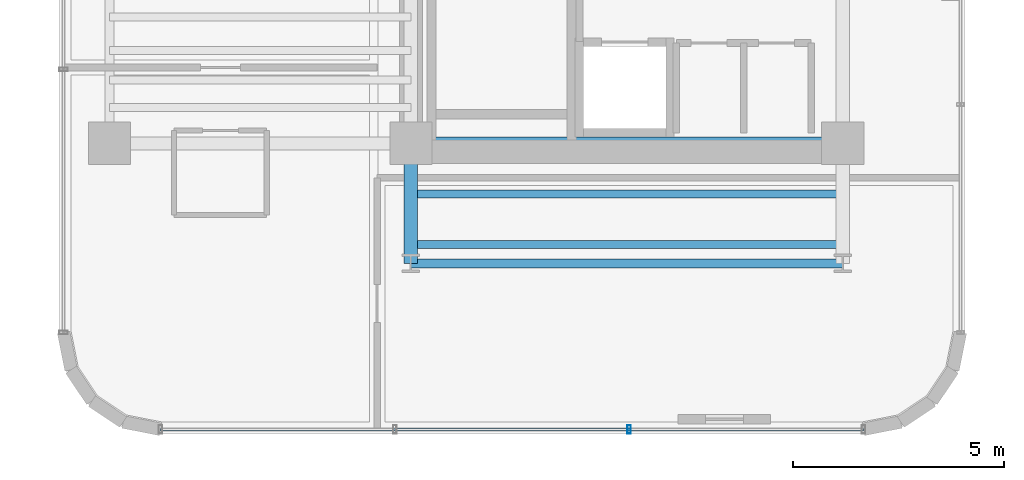
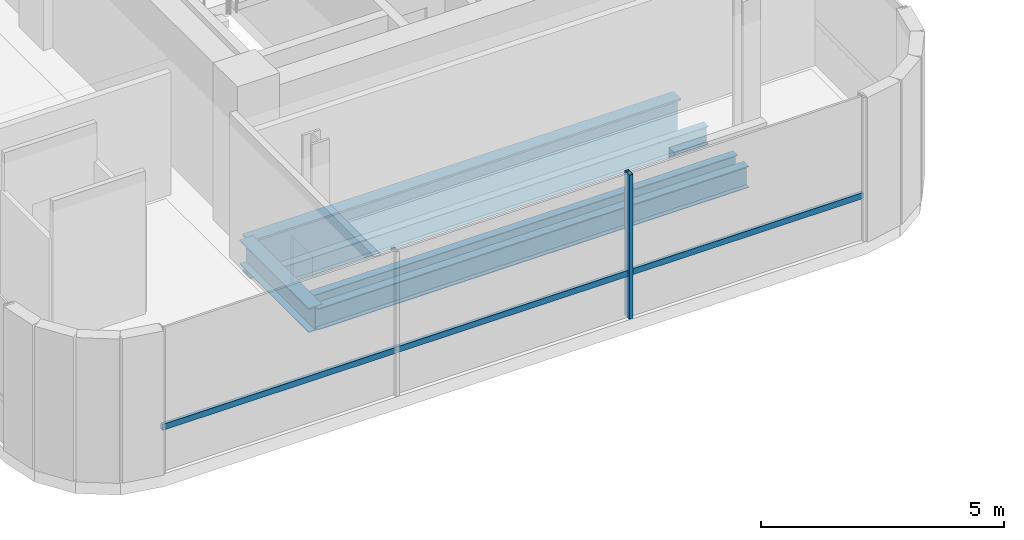
# One storey, part 3 of 36: 5 beams, 2 members, 1 element without a shape of its own.
"""IFC4 building model written with IfcOpenShell, lengths in metres."""

from ifc_helpers import new_model, si_unit, direction, frame, origin, origin_2d, place, context, subcontext, project, spatial, hollow_rectangle, i_section, extrude, source, transform, mapped, material, material_profile, profile_set, type_object, element, aggregate, save


model = new_model("IFC4")

# Units and contexts
model_context = context("Model", 3, precision=1e-05, world=origin(), true_north=direction((0.0, 1.0)))
body_context = subcontext(model_context, "Body", "Model", "MODEL_VIEW")
ifc_project = project(units=[si_unit("LENGTHUNIT", "METRE"), si_unit("AREAUNIT", "SQUARE_METRE"), si_unit("VOLUMEUNIT", "CUBIC_METRE"), si_unit("PLANEANGLEUNIT", "RADIAN"), si_unit("MASSUNIT", "GRAM", prefix="KILO")], contexts=[model_context])

# Site, building, storey
site_placement = place(None, origin())
site = spatial("IfcSite", under=ifc_project, at=site_placement, CompositionType="ELEMENT")
building_placement = place(site_placement, origin())
building = spatial("IfcBuilding", under=site, at=building_placement, Name="Valdorenza Pilgrim Sanctuary Tower", CompositionType="ELEMENT")
storey_placement = place(building_placement, frame((0.0, 0.0, 176.550048828125)))
storey = spatial("IfcBuildingStorey", under=building, at=storey_placement, Name="L45", CompositionType="ELEMENT", Elevation=176.550048828125)

# Beams
ifc_material_1 = material(Name="Steel ASTM A992 Grade 50", Category="steel")
ifc_material_profile_1 = material_profile(ifc_material_1, i_section(OverallWidth=0.323974609375, OverallDepth=0.611083984375, WebThickness=0.0126953125, FlangeThickness=0.01904296875, at=origin_2d()), Name="W24X104")
ifc_profile_set_1 = profile_set([ifc_material_profile_1], Name="Steel ASTM A992 Grade 50")
beam_type_1 = type_object("IfcBeamType", Name="STR-BM-GRD-W24B", PredefinedType="BEAM", material=ifc_profile_set_1)
shared_shape_1 = source(origin(), body_context, "Body", "SweptSolid", [
    extrude(i_section(OverallWidth=0.323974609375, OverallDepth=0.611083984375, WebThickness=0.0126953125, FlangeThickness=0.01904296875, at=origin_2d()), origin(), (0.0, 0.0, 1.0), 2.849853515625),
])
beam_1_placement = place(storey_placement, frame((-22.64990234375, -13.449951171875, -0.62548828125), z_axis=(0.0, 1.0, 0.0), x_axis=(-1.0, 0.0, 0.0)))
element("IfcBeam", 1, at=beam_1_placement, inside=storey, type_object=beam_type_1, Name="L45 Floor Girder WA-S-LW", PredefinedType="BEAM", context=body_context, shape_type="MappedRepresentation", body=[
    mapped(shared_shape_1, transform((0.0, 0.0, 0.0), x_axis=(1.0, 0.0, 0.0), y_axis=(0.0, 1.0, 0.0), z_axis=(0.0, 0.0, 1.0), scale=1.0)),
])
ifc_material_profile_2 = material_profile(ifc_material_1, i_section(OverallWidth=0.19091796875, OverallDepth=0.45703125, WebThickness=0.009033203125, FlangeThickness=0.014404296875, at=origin_2d()), Name="W18X50")
ifc_profile_set_2 = profile_set([ifc_material_profile_2], Name="Steel ASTM A992 Grade 50")
beam_type_2 = type_object("IfcBeamType", Name="STR-BM-JST-W18B", PredefinedType="JOIST", material=ifc_profile_set_2)
shared_shape_2 = source(origin(), body_context, "Body", "SweptSolid", [
    extrude(i_section(OverallWidth=0.19091796875, OverallDepth=0.45703125, WebThickness=0.009033203125, FlangeThickness=0.014404296875, at=origin_2d()), origin(), (0.0, 0.0, 1.0), 10.25),
])
for number, where, z_axis, x_axis, name in (
    (2, (-22.64990234375, -13.0, -0.548583984375), (1.0, 0.0, 0.0), (0.0, 1.0, 0.0), "L45 Composite Floor Joist JST-WAS-1"),
    (3, (-22.64990234375, -11.800048828125, -0.548583984375), (1.0, 0.0, 0.0), (0.0, 1.0, 0.0), "L45 Composite Floor Joist JST-WAS-2"),
):
    element("IfcBeam", number, at=place(storey_placement, frame(where, z_axis=z_axis, x_axis=x_axis)), inside=storey, type_object=beam_type_2, Name=name, PredefinedType="JOIST", context=body_context, shape_type="MappedRepresentation", body=[
        mapped(shared_shape_2, transform((0.0, 0.0, 0.0), x_axis=(1.0, 0.0, 0.0), y_axis=(0.0, 1.0, 0.0), z_axis=(0.0, 0.0, 1.0), scale=1.0)),
    ])
ifc_material_profile_3 = material_profile(ifc_material_1, i_section(OverallWidth=0.2109375, OverallDepth=0.5390625, WebThickness=0.01171875, FlangeThickness=0.018798828125, at=origin_2d()), Name="W21X73")
ifc_profile_set_3 = profile_set([ifc_material_profile_3], Name="Steel ASTM A992 Grade 50")
beam_type_3 = type_object("IfcBeamType", Name="STR-BM-SPN-W21B", PredefinedType="SPANDREL", material=ifc_profile_set_3)
shared_shape_3 = source(origin(), body_context, "Body", "SweptSolid", [
    extrude(i_section(OverallWidth=0.2109375, OverallDepth=0.5390625, WebThickness=0.01171875, FlangeThickness=0.018798828125, at=origin_2d()), origin(), (0.0, 0.0, 1.0), 10.25),
])
beam_2_placement = place(storey_placement, frame((-22.64990234375, -13.449951171875, -0.589599609375), z_axis=(1.0, 0.0, 0.0), x_axis=(0.0, 1.0, 0.0)))
element("IfcBeam", 4, at=beam_2_placement, inside=storey, type_object=beam_type_3, Name="L45 South Spandrel WA-S-TIE", PredefinedType="SPANDREL", context=body_context, shape_type="MappedRepresentation", body=[
    mapped(shared_shape_3, transform((0.0, 0.0, 0.0), x_axis=(1.0, 0.0, 0.0), y_axis=(0.0, 1.0, 0.0), z_axis=(0.0, 0.0, 1.0), scale=1.0)),
])
ifc_material_profile_4 = material_profile(ifc_material_1, i_section(OverallWidth=0.31005859375, OverallDepth=0.949951171875, WebThickness=0.0244140625, FlangeThickness=0.0439453125, at=origin_2d()), Name="W36X256")
ifc_profile_set_4 = profile_set([ifc_material_profile_4], Name="Steel ASTM A992 Grade 50")
beam_type_4 = type_object("IfcBeamType", Name="STR-BM-GRD-W36B", PredefinedType="BEAM", material=ifc_profile_set_4)
shared_shape_4 = source(origin(), body_context, "Body", "SweptSolid", [
    extrude(i_section(OverallWidth=0.31005859375, OverallDepth=0.949951171875, WebThickness=0.0244140625, FlangeThickness=0.0439453125, at=origin_2d()), origin(), (0.0, 0.0, 1.0), 10.25),
])
beam_3_placement = place(storey_placement, frame((-22.64990234375, -10.60009765625, -0.795166015625), z_axis=(1.0, 0.0, 0.0), x_axis=(0.0, 1.0, 0.0)))
element("IfcBeam", 5, at=beam_3_placement, inside=storey, type_object=beam_type_4, Name="L45 Floor Girder CA-XC-S1", PredefinedType="BEAM", context=body_context, shape_type="MappedRepresentation", body=[
    mapped(shared_shape_4, transform((0.0, 0.0, 0.0), x_axis=(1.0, 0.0, 0.0), y_axis=(0.0, 1.0, 0.0), z_axis=(0.0, 0.0, 1.0), scale=1.0)),
])

# Curtain wall, members
ifc_material_2 = material(Name="Curtain-wall IGU glazing", Category="glass")
curtain_wall_type = type_object("IfcCurtainWallType", Name="CW-SYS-02", PredefinedType="NOTDEFINED", material=ifc_material_2)
curtain_wall_placement = place(storey_placement, origin())
curtain_wall = element("IfcCurtainWall", 6, at=curtain_wall_placement, inside=storey, type_object=curtain_wall_type, Name="L45 Curtain Wall CW-L45-1-82", PredefinedType="NOTDEFINED")
ifc_material_3 = material(Name="Anodised aluminium AW-6060", Category="aluminium")
ifc_material_profile_5 = material_profile(ifc_material_3, hollow_rectangle(XDim=0.074951171875, YDim=0.14990234375, WallThickness=0.00390625, at=origin_2d()), Name="ALU-T 150x75x4")
ifc_profile_set_5 = profile_set([ifc_material_profile_5], Name="Anodised aluminium AW-6060")
member_type_1 = type_object("IfcMemberType", Name="CW-TRN-02", PredefinedType="USERDEFINED", material=ifc_profile_set_5)
shared_shape_5 = source(origin(), body_context, "Body", "SweptSolid", [
    extrude(hollow_rectangle(XDim=0.074951171875, YDim=0.14990234375, WallThickness=0.00390625, at=origin_2d()), origin(), (0.0, 0.0, 1.0), 16.67822265625),
])
member_1_placement = place(storey_placement, frame((-11.910888671875, -17.389892578125, 1.119873046875), z_axis=(-1.0, 0.0, 0.0), x_axis=(0.0, -1.0, 0.0)))
member_1 = element("IfcMember", 7, at=member_1_placement, type_object=member_type_1, Name="CW-L45-1-82 Transom 1", ObjectType="TRANSOM", PredefinedType="USERDEFINED", context=body_context, shape_type="MappedRepresentation", body=[
    mapped(shared_shape_5, transform((0.0, 0.0, 0.0), x_axis=(1.0, 0.0, 0.0), y_axis=(0.0, 1.0, 0.0), z_axis=(0.0, 0.0, 1.0), scale=1.0)),
])
ifc_material_profile_6 = material_profile(ifc_material_3, hollow_rectangle(XDim=0.0849609375, YDim=0.199951171875, WallThickness=0.0048828125, at=origin_2d()), Name="ALU-M 200x85x5")
ifc_profile_set_6 = profile_set([ifc_material_profile_6], Name="Anodised aluminium AW-6060")
member_type_2 = type_object("IfcMemberType", Name="CW-MUL-02", PredefinedType="MULLION", material=ifc_profile_set_6)
shared_shape_6 = source(origin(), body_context, "Body", "SweptSolid", [
    extrude(hollow_rectangle(XDim=0.0849609375, YDim=0.199951171875, WallThickness=0.0048828125, at=origin_2d()), origin(), (0.0, 0.0, 1.0), 3.6298828125),
])
member_2_placement = place(storey_placement, frame((-17.47021484375, -17.389892578125, 0.0), z_axis=(0.0, 0.0, 1.0), x_axis=(-1.0, 0.0, 0.0)))
member_2 = element("IfcMember", 8, at=member_2_placement, type_object=member_type_2, Name="CW-L45-1-82 Mullion 2", PredefinedType="MULLION", context=body_context, shape_type="MappedRepresentation", body=[
    mapped(shared_shape_6, transform((0.0, 0.0, 0.0), x_axis=(1.0, 0.0, 0.0), y_axis=(0.0, 1.0, 0.0), z_axis=(0.0, 0.0, 1.0), scale=1.0)),
])
aggregate(curtain_wall, [member_2, member_1])

save(model, "model.ifc")
